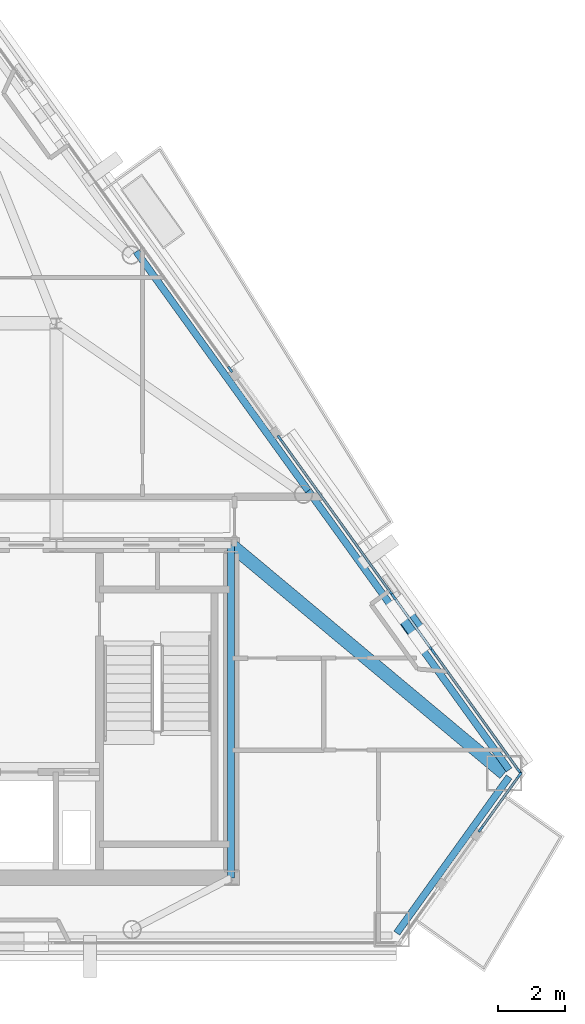
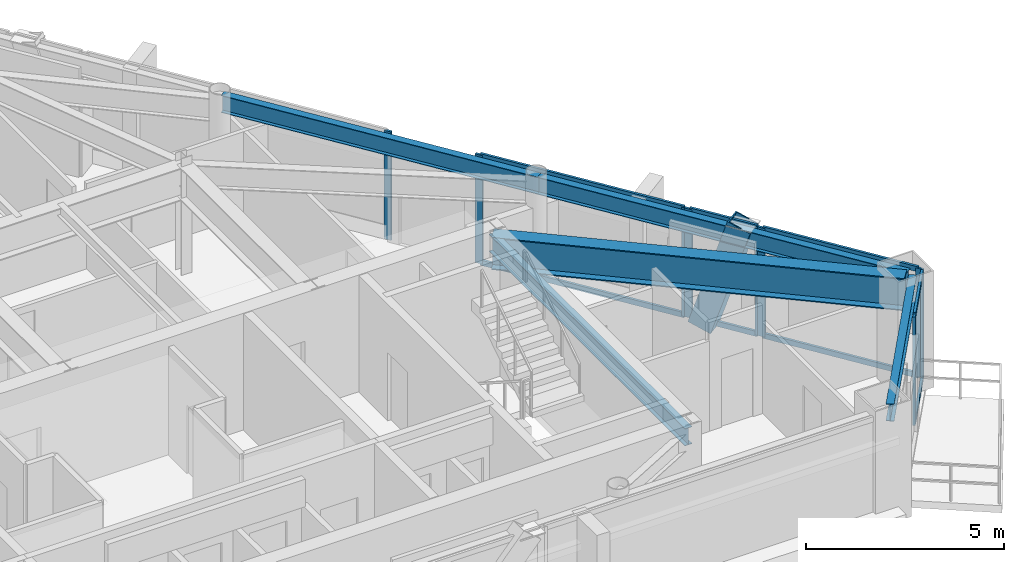
# One storey, part 5 of 12: 18 members, 5 beams, 5 elements without a shape of their own.
"""IFC4 building model written with IfcOpenShell, lengths in metres."""

from ifc_helpers import new_model, si_unit, direction, frame, origin, origin_2d, place, context, subcontext, project, spatial, rectangle, hollow_rectangle, i_section, extrude, material, layer, layer_set, material_profile, profile_set, type_object, element, aggregate, save


model = new_model("IFC4")

# Units and contexts
model_context = context("Model", 3, precision=1e-05, world=origin(), true_north=direction((0.0, 1.0)))
body_context = subcontext(model_context, "Body", "Model", "MODEL_VIEW")
ifc_project = project(units=[si_unit("LENGTHUNIT", "METRE"), si_unit("AREAUNIT", "SQUARE_METRE"), si_unit("VOLUMEUNIT", "CUBIC_METRE"), si_unit("PLANEANGLEUNIT", "RADIAN"), si_unit("MASSUNIT", "GRAM", prefix="KILO")], contexts=[model_context])

# Site, building, storey
site_placement = place(None, origin())
site = spatial("IfcSite", under=ifc_project, at=site_placement, CompositionType="ELEMENT")
building_placement = place(site_placement, origin())
building = spatial("IfcBuilding", under=site, at=building_placement, Name="Talgorran Terracotta Tower", CompositionType="ELEMENT")
storey_placement = place(building_placement, frame((0.0, 0.0, 192.89990234375)))
storey = spatial("IfcBuildingStorey", under=building, at=storey_placement, Name="L50", CompositionType="ELEMENT", Elevation=192.89990234375)

# Beams
ifc_material_1 = material(Name="Steel Grade 350 (350L0)", Category="steel")
ifc_material_profile_1 = material_profile(ifc_material_1, i_section(OverallWidth=0.39990234375, OverallDepth=1.0, WebThickness=0.01611328125, FlangeThickness=0.031005859375, at=origin_2d()), Name="1000WB296")
ifc_profile_set_1 = profile_set([ifc_material_profile_1], Name="Steel Grade 350 (350L0)")
beam_type_1 = type_object("IfcBeamType", Name="BM_1000WB296", PredefinedType="BEAM", material=ifc_profile_set_1)
beam_1_placement = place(storey_placement, frame((12.39990234375, -4.199951171875, 2.85009765625), z_axis=(0.767197947413, -0.641410406436, 0.0), x_axis=(0.641410406436, 0.767197947413, 0.0)))
element("IfcBeam", 1, at=beam_1_placement, inside=storey, type_object=beam_type_1, Name="L50 Floor Girder G18", PredefinedType="BEAM", context=body_context, shape_type="SweptSolid", body=[
    extrude(i_section(OverallWidth=0.39990234375, OverallDepth=1.0, WebThickness=0.01611328125, FlangeThickness=0.031005859375, at=origin_2d()), origin(), (0.0, 0.0, 1.0), 10.589599609375),
])
ifc_material_2 = material(Name="Steel S355 (300PLUS)", Category="steel")
ifc_material_profile_2 = material_profile(ifc_material_2, i_section(OverallWidth=0.209228515625, OverallDepth=0.532958984375, WebThickness=0.01025390625, FlangeThickness=0.015625, at=origin_2d()), Name="530UB92.4")
ifc_profile_set_2 = profile_set([ifc_material_profile_2], Name="Steel S355 (300PLUS)")
beam_type_2 = type_object("IfcBeamType", Name="BM_SP_530UB92", PredefinedType="SPANDREL", material=ifc_profile_set_2)
beam_2_placement = place(storey_placement, frame((17.32568359375, -15.74609375, 3.08349609375), z_axis=(0.583989111458, 0.811761490648, 0.0), x_axis=(-0.811761490648, 0.583989111458, 0.0)))
element("IfcBeam", 2, at=beam_2_placement, inside=storey, type_object=beam_type_2, Name="L50 Perimeter Spandrel Beam MC3-MC4", PredefinedType="SPANDREL", context=body_context, shape_type="SweptSolid", body=[
    extrude(i_section(OverallWidth=0.209228515625, OverallDepth=0.532958984375, WebThickness=0.01025390625, FlangeThickness=0.015625, at=origin_2d()), origin(), (0.0, 0.0, 1.0), 5.72705078125),
])
beam_3_placement = place(storey_placement, frame((20.670166015625, -10.886962890625, 3.08349609375), z_axis=(-0.583984097587, 0.811765097651, 0.0), x_axis=(-0.811765097651, -0.583984097587, 0.0)))
element("IfcBeam", 3, at=beam_3_placement, inside=storey, type_object=beam_type_2, Name="L50 Perimeter Spandrel Beam MC4-FC3", PredefinedType="SPANDREL", context=body_context, shape_type="SweptSolid", body=[
    extrude(i_section(OverallWidth=0.209228515625, OverallDepth=0.532958984375, WebThickness=0.01025390625, FlangeThickness=0.015625, at=origin_2d()), origin(), (0.0, 0.0, 1.0), 10.231689453125),
])
beam_4_placement = place(storey_placement, frame((14.695068359375, -2.581298828125, 3.08349609375), z_axis=(-0.583976142064, 0.811770820799, 0.0), x_axis=(-0.811770820799, -0.583976142064, 0.0)))
element("IfcBeam", 4, at=beam_4_placement, inside=storey, type_object=beam_type_2, Name="L50 Perimeter Spandrel Beam FC3-FC4", PredefinedType="SPANDREL", context=body_context, shape_type="SweptSolid", body=[
    extrude(i_section(OverallWidth=0.209228515625, OverallDepth=0.532958984375, WebThickness=0.01025390625, FlangeThickness=0.015625, at=origin_2d()), origin(), (0.0, 0.0, 1.0), 8.770263671875),
])
beam_5_placement = place(storey_placement, frame((12.39990234375, -14.10009765625, 3.08349609375), z_axis=(0.0, 1.0, 0.0), x_axis=(-1.0, 0.0, 0.0)))
element("IfcBeam", 5, at=beam_5_placement, inside=storey, type_object=beam_type_2, Name="L50 Core Frame Beam CFE", PredefinedType="SPANDREL", context=body_context, shape_type="SweptSolid", body=[
    extrude(i_section(OverallWidth=0.209228515625, OverallDepth=0.532958984375, WebThickness=0.01025390625, FlangeThickness=0.015625, at=origin_2d()), origin(), (0.0, 0.0, 1.0), 9.900146484375),
])

# Member
ifc_material_profile_3 = material_profile(ifc_material_1, hollow_rectangle(XDim=0.52001953125, YDim=0.659912109375, WallThickness=0.034912109375, at=origin_2d()), Name="WBOX660X520X35")
ifc_profile_set_3 = profile_set([ifc_material_profile_3], Name="Steel Grade 350 (350L0)")
member_type_1 = type_object("IfcMemberType", Name="MB_MEGA_660", PredefinedType="BRACE", material=ifc_profile_set_3)
member_1_placement = place(storey_placement, frame((17.449462890625, -6.1015625, -0.02490234375), z_axis=(0.179509082132, -0.249481408018, 0.951596299113), x_axis=(0.811715631189, 0.584052852132, 0.0)))
element("IfcMember", 6, at=member_1_placement, inside=storey, type_object=member_type_1, Name="L50 Exterior Face Mega-Brace MB-3 (NEL)", PredefinedType="BRACE", context=body_context, shape_type="SweptSolid", body=[
    extrude(hollow_rectangle(XDim=0.52001953125, YDim=0.659912109375, WallThickness=0.034912109375, at=origin_2d()), origin(), (0.0, 0.0, 1.0), 3.57275390625),
])

# Curtain wall, members
ifc_material_3 = material(Name="High-Wind Unitised Glazing", Category="glass")
ifc_layer = layer(ifc_material_3, 0.2099609375, Name="CW_SYS3_RES_HIGH")
ifc_layer_set = layer_set([ifc_layer], Name="High-Wind Unitised Glazing")
curtain_wall_type = type_object("IfcCurtainWallType", Name="CW_SYS3_RES_HIGH", PredefinedType="NOTDEFINED", material=ifc_layer_set)
curtain_wall_1_placement = place(storey_placement, origin())
curtain_wall_1 = element("IfcCurtainWall", 7, at=curtain_wall_1_placement, inside=storey, type_object=curtain_wall_type, Name="CW-L50-F31", PredefinedType="NOTDEFINED")
ifc_material_4 = material(Name="Architectural Aluminium 6063-T6", Category="aluminium")
ifc_material_profile_4 = material_profile(ifc_material_4, rectangle(XDim=0.070068359375, YDim=0.199951171875, at=origin_2d()), Name="CWM70X200")
ifc_profile_set_4 = profile_set([ifc_material_profile_4], Name="Architectural Aluminium 6063-T6")
member_type_2 = type_object("IfcMemberType", Name="MUL_70X200", PredefinedType="MULLION", material=ifc_profile_set_4)
member_2_placement = place(storey_placement, frame((19.82421875, -12.64990234375, 0.0), z_axis=(0.0, 0.0, 1.0), x_axis=(-0.811781936944, 0.583960689475, 0.0)))
member_2 = element("IfcMember", 8, at=member_2_placement, type_object=member_type_2, Name="CW-L50-31 mullion 1", PredefinedType="MULLION", context=body_context, shape_type="SweptSolid", body=[
    extrude(rectangle(XDim=0.070068359375, YDim=0.199951171875, at=origin_2d()), origin(), (0.0, 0.0, 1.0), 3.35009765625),
])
member_3_placement = place(storey_placement, frame((20.97314453125, -11.052978515625, 0.0), z_axis=(0.0, 0.0, 1.0), x_axis=(-0.811781936944, 0.583960689475, 0.0)))
member_3 = element("IfcMember", 9, at=member_3_placement, type_object=member_type_2, Name="CW-L50-31 mullion 2", PredefinedType="MULLION", context=body_context, shape_type="SweptSolid", body=[
    extrude(rectangle(XDim=0.070068359375, YDim=0.199951171875, at=origin_2d()), origin(), (0.0, 0.0, 1.0), 3.35009765625),
])

curtain_wall_2_placement = place(storey_placement, origin())
curtain_wall_2 = element("IfcCurtainWall", 10, at=curtain_wall_2_placement, inside=storey, type_object=curtain_wall_type, Name="CW-L50-F40", PredefinedType="NOTDEFINED")
member_4_placement = place(storey_placement, frame((20.97314453125, -10.93115234375, 0.0), z_axis=(0.0, 0.0, 1.0), x_axis=(-0.811760806404, -0.583990062575, 0.0)))
member_4 = element("IfcMember", 11, at=member_4_placement, type_object=member_type_2, Name="CW-L50-40 mullion 1", PredefinedType="MULLION", context=body_context, shape_type="SweptSolid", body=[
    extrude(rectangle(XDim=0.070068359375, YDim=0.199951171875, at=origin_2d()), origin(), (0.0, 0.0, 1.0), 3.35009765625),
])
member_5_placement = place(storey_placement, frame((18.41748046875, -7.37890625, 0.0), z_axis=(0.0, 0.0, 1.0), x_axis=(-0.811760806404, -0.583990062575, 0.0)))
member_5 = element("IfcMember", 12, at=member_5_placement, type_object=member_type_2, Name="CW-L50-40 mullion 2", PredefinedType="MULLION", context=body_context, shape_type="SweptSolid", body=[
    extrude(rectangle(XDim=0.070068359375, YDim=0.199951171875, at=origin_2d()), origin(), (0.0, 0.0, 1.0), 3.35009765625),
])

curtain_wall_3_placement = place(storey_placement, origin())
curtain_wall_3 = element("IfcCurtainWall", 13, at=curtain_wall_3_placement, inside=storey, type_object=curtain_wall_type, Name="CW-L50-F40B", PredefinedType="NOTDEFINED")
member_6_placement = place(storey_placement, frame((18.370849609375, -7.31396484375, 0.0), z_axis=(0.0, 0.0, 1.0), x_axis=(-0.8117751038, -0.583970188323, 0.0)))
member_6 = element("IfcMember", 14, at=member_6_placement, type_object=member_type_2, Name="CW-L50-40B mullion 1", PredefinedType="MULLION", context=body_context, shape_type="SweptSolid", body=[
    extrude(rectangle(XDim=0.070068359375, YDim=0.199951171875, at=origin_2d()), origin(), (0.0, 0.0, 1.0), 3.35009765625),
])
member_7_placement = place(storey_placement, frame((17.234130859375, -5.734130859375, 0.0), z_axis=(0.0, 0.0, 1.0), x_axis=(-0.8117751038, -0.583970188323, 0.0)))
member_7 = element("IfcMember", 15, at=member_7_placement, type_object=member_type_2, Name="CW-L50-40B mullion 2", PredefinedType="MULLION", context=body_context, shape_type="SweptSolid", body=[
    extrude(rectangle(XDim=0.070068359375, YDim=0.199951171875, at=origin_2d()), origin(), (0.0, 0.0, 1.0), 3.35009765625),
])

curtain_wall_4_placement = place(storey_placement, origin())
curtain_wall_4 = element("IfcCurtainWall", 16, at=curtain_wall_4_placement, inside=storey, type_object=curtain_wall_type, Name="CW-L50-F40C", PredefinedType="NOTDEFINED")
member_8_placement = place(storey_placement, frame((17.1875, -5.669189453125, 0.0), z_axis=(0.0, 0.0, 1.0), x_axis=(-0.811765770238, -0.58398316266, 0.0)))
member_8 = element("IfcMember", 17, at=member_8_placement, type_object=member_type_2, Name="CW-L50-40C mullion 1", PredefinedType="MULLION", context=body_context, shape_type="SweptSolid", body=[
    extrude(rectangle(XDim=0.070068359375, YDim=0.199951171875, at=origin_2d()), origin(), (0.0, 0.0, 1.0), 3.35009765625),
])
member_9_placement = place(storey_placement, frame((13.845458984375, -1.0234375, 0.0), z_axis=(0.0, 0.0, 1.0), x_axis=(-0.811765770238, -0.58398316266, 0.0)))
member_9 = element("IfcMember", 18, at=member_9_placement, type_object=member_type_2, Name="CW-L50-40C mullion 2", PredefinedType="MULLION", context=body_context, shape_type="SweptSolid", body=[
    extrude(rectangle(XDim=0.070068359375, YDim=0.199951171875, at=origin_2d()), origin(), (0.0, 0.0, 1.0), 3.35009765625),
])

# Curtain wall, member
curtain_wall_5_placement = place(storey_placement, origin())
curtain_wall_5 = element("IfcCurtainWall", 19, at=curtain_wall_5_placement, inside=storey, type_object=curtain_wall_type, Name="CW-L50-F41", PredefinedType="NOTDEFINED")
member_10_placement = place(storey_placement, frame((12.367919921875, 1.0302734375, 0.0), z_axis=(0.0, 0.0, 1.0), x_axis=(-0.8117635815, -0.583986205103, 0.0)))
member_10 = element("IfcMember", 20, at=member_10_placement, type_object=member_type_2, Name="CW-L50-41 mullion 1", PredefinedType="MULLION", context=body_context, shape_type="SweptSolid", body=[
    extrude(rectangle(XDim=0.070068359375, YDim=0.199951171875, at=origin_2d()), origin(), (0.0, 0.0, 1.0), 3.35009765625),
])
aggregate(curtain_wall_5, [member_10])

# Member
ifc_material_profile_5 = material_profile(ifc_material_4, rectangle(XDim=0.070068359375, YDim=0.159912109375, at=origin_2d()), Name="CWT70X160")
ifc_profile_set_5 = profile_set([ifc_material_profile_5], Name="Architectural Aluminium 6063-T6")
member_type_3 = type_object("IfcMemberType", Name="TRN_70X160", PredefinedType="USERDEFINED", material=ifc_profile_set_5)
member_11_placement = place(storey_placement, frame((19.8447265625, -12.62158203125, 0.03515625), z_axis=(0.583986011955, 0.811763720452, 0.0), x_axis=(-0.811763720452, 0.583986011955, 0.0)))
member_11 = element("IfcMember", 21, at=member_11_placement, type_object=member_type_3, Name="CW-L50-31 transom 1.1", ObjectType="TRANSOM", PredefinedType="USERDEFINED", context=body_context, shape_type="SweptSolid", body=[
    extrude(rectangle(XDim=0.070068359375, YDim=0.159912109375, at=origin_2d()), origin(), (0.0, 0.0, 1.0), 1.897216796875),
])

member_12_placement = place(storey_placement, frame((19.8447265625, -12.62158203125, 3.315185546875), z_axis=(0.583986011955, 0.811763720452, 0.0), x_axis=(-0.811763720452, 0.583986011955, 0.0)))
member_12 = element("IfcMember", 22, at=member_12_placement, type_object=member_type_3, Name="CW-L50-31 transom 1.2", ObjectType="TRANSOM", PredefinedType="USERDEFINED", context=body_context, shape_type="SweptSolid", body=[
    extrude(rectangle(XDim=0.070068359375, YDim=0.159912109375, at=origin_2d()), origin(), (0.0, 0.0, 1.0), 1.897216796875),
])

aggregate(curtain_wall_1, [member_2, member_3, member_11, member_12])

member_13_placement = place(storey_placement, frame((20.95263671875, -10.90283203125, 0.03515625), z_axis=(-0.58397011527, 0.811775156353, 0.0), x_axis=(-0.811775156353, -0.58397011527, 0.0)))
member_13 = element("IfcMember", 23, at=member_13_placement, type_object=member_type_3, Name="CW-L50-40 transom 1.1", ObjectType="TRANSOM", PredefinedType="USERDEFINED", context=body_context, shape_type="SweptSolid", body=[
    extrude(rectangle(XDim=0.070068359375, YDim=0.159912109375, at=origin_2d()), origin(), (0.0, 0.0, 1.0), 4.30615234375),
])

member_14_placement = place(storey_placement, frame((20.95263671875, -10.90283203125, 3.315185546875), z_axis=(-0.58397011527, 0.811775156353, 0.0), x_axis=(-0.811775156353, -0.58397011527, 0.0)))
member_14 = element("IfcMember", 24, at=member_14_placement, type_object=member_type_3, Name="CW-L50-40 transom 1.2", ObjectType="TRANSOM", PredefinedType="USERDEFINED", context=body_context, shape_type="SweptSolid", body=[
    extrude(rectangle(XDim=0.070068359375, YDim=0.159912109375, at=origin_2d()), origin(), (0.0, 0.0, 1.0), 4.30615234375),
])

aggregate(curtain_wall_2, [member_4, member_5, member_13, member_14])

member_15_placement = place(storey_placement, frame((18.350341796875, -7.285400390625, 0.03515625), z_axis=(-0.584016733465, 0.811741618394, 0.0), x_axis=(-0.811741618394, -0.584016733465, 0.0)))
member_15 = element("IfcMember", 25, at=member_15_placement, type_object=member_type_3, Name="CW-L50-40B transom 1.1", ObjectType="TRANSOM", PredefinedType="USERDEFINED", context=body_context, shape_type="SweptSolid", body=[
    extrude(rectangle(XDim=0.070068359375, YDim=0.159912109375, at=origin_2d()), origin(), (0.0, 0.0, 1.0), 1.876220703125),
])

member_16_placement = place(storey_placement, frame((18.350341796875, -7.285400390625, 3.315185546875), z_axis=(-0.584016733465, 0.811741618394, 0.0), x_axis=(-0.811741618394, -0.584016733465, 0.0)))
member_16 = element("IfcMember", 26, at=member_16_placement, type_object=member_type_3, Name="CW-L50-40B transom 1.2", ObjectType="TRANSOM", PredefinedType="USERDEFINED", context=body_context, shape_type="SweptSolid", body=[
    extrude(rectangle(XDim=0.070068359375, YDim=0.159912109375, at=origin_2d()), origin(), (0.0, 0.0, 1.0), 1.876220703125),
])

aggregate(curtain_wall_3, [member_6, member_7, member_15, member_16])

member_17_placement = place(storey_placement, frame((17.1669921875, -5.640625, 0.03515625), z_axis=(-0.583980408192, 0.811767751791, 0.0), x_axis=(-0.811767751791, -0.583980408192, 0.0)))
member_17 = element("IfcMember", 27, at=member_17_placement, type_object=member_type_3, Name="CW-L50-40C transom 1.1", ObjectType="TRANSOM", PredefinedType="USERDEFINED", context=body_context, shape_type="SweptSolid", body=[
    extrude(rectangle(XDim=0.070068359375, YDim=0.159912109375, at=origin_2d()), origin(), (0.0, 0.0, 1.0), 5.652587890625),
])

member_18_placement = place(storey_placement, frame((17.1669921875, -5.640625, 3.315185546875), z_axis=(-0.583980408192, 0.811767751791, 0.0), x_axis=(-0.811767751791, -0.583980408192, 0.0)))
member_18 = element("IfcMember", 28, at=member_18_placement, type_object=member_type_3, Name="CW-L50-40C transom 1.2", ObjectType="TRANSOM", PredefinedType="USERDEFINED", context=body_context, shape_type="SweptSolid", body=[
    extrude(rectangle(XDim=0.070068359375, YDim=0.159912109375, at=origin_2d()), origin(), (0.0, 0.0, 1.0), 5.652587890625),
])

aggregate(curtain_wall_4, [member_8, member_9, member_17, member_18])

save(model, "model.ifc")
